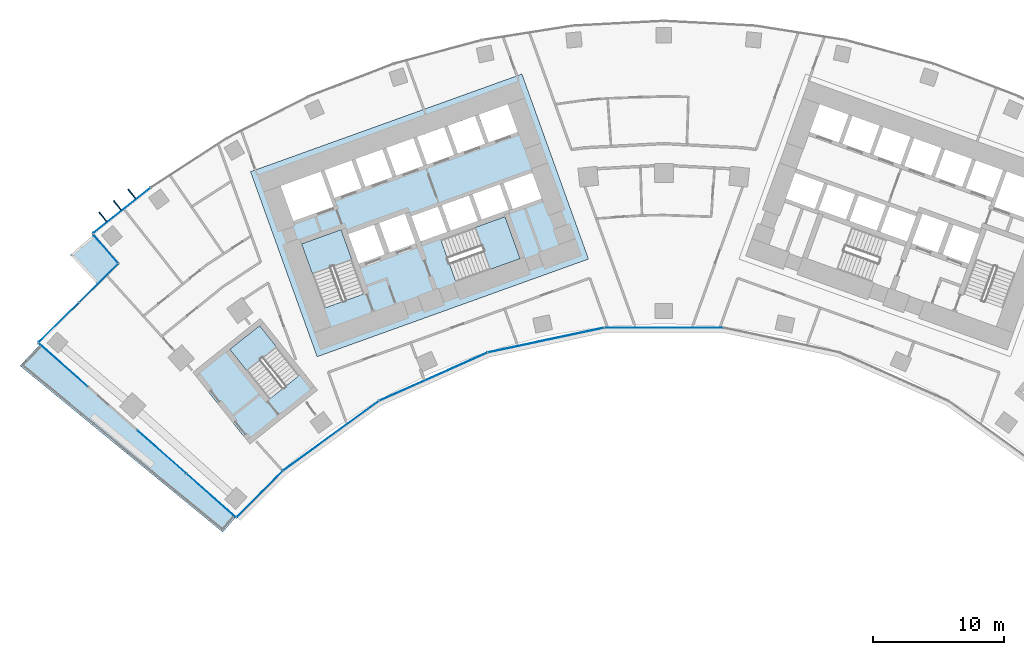
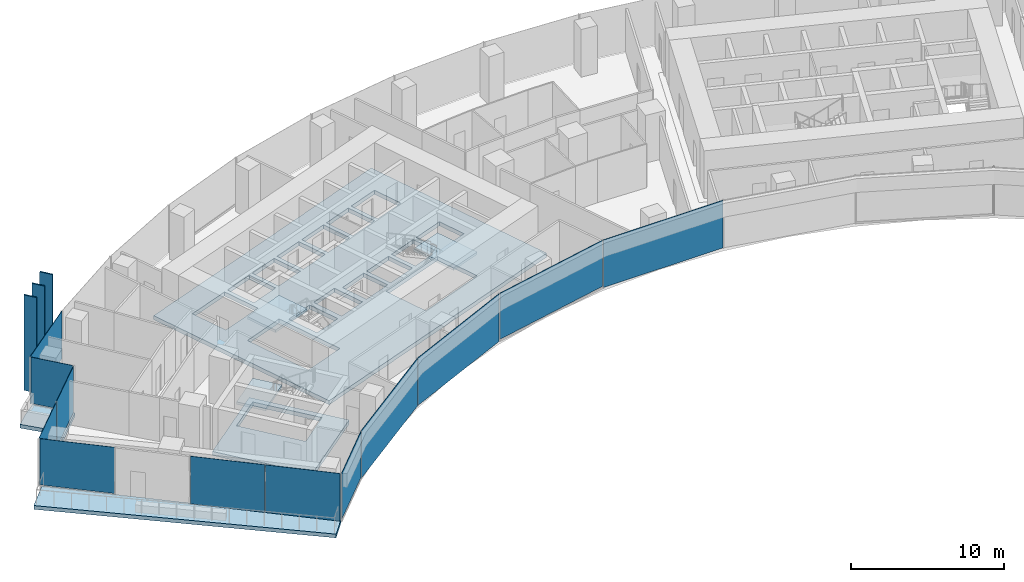
# One storey, part 11 of 21: 15 plates, 7 slabs, 8 elements without a shape of their own.
"""IFC4 building model written with IfcOpenShell, lengths in metres."""

from ifc_helpers import new_model, si_unit, direction, frame, origin, origin_2d, place, context, subcontext, project, spatial, polyline, rectangle, outline, extrude, material, layer, layer_set, type_object, element, aggregate, save


model = new_model("IFC4")

# Units and contexts
model_context = context("Model", 3, precision=1e-05, world=origin(), true_north=direction((0.0, 1.0)))
body_context = subcontext(model_context, "Body", "Model", "MODEL_VIEW")
ifc_project = project(units=[si_unit("LENGTHUNIT", "METRE"), si_unit("AREAUNIT", "SQUARE_METRE"), si_unit("VOLUMEUNIT", "CUBIC_METRE"), si_unit("PLANEANGLEUNIT", "RADIAN"), si_unit("MASSUNIT", "GRAM", prefix="KILO")], contexts=[model_context])

# Site, building, storey
site_placement = place(None, origin())
site = spatial("IfcSite", under=ifc_project, at=site_placement, CompositionType="ELEMENT")
building_placement = place(site_placement, origin())
building = spatial("IfcBuilding", under=site, at=building_placement, Name="Stone Belt Terrace Tower", CompositionType="ELEMENT")
storey_placement = place(building_placement, frame((0.0, 0.0, 113.60009765625)))
storey = spatial("IfcBuildingStorey", under=building, at=storey_placement, Name="L27", CompositionType="ELEMENT", Elevation=113.60009765625)

# Curtain wall, plate
ifc_material_1 = material(Name="Aluminium 6063-T6 anodised frame", Category="aluminium")
ifc_layer_1 = layer(ifc_material_1, 0.14990234375)
ifc_layer_set_1 = layer_set([ifc_layer_1], Name="CW-A unitised convex-face curtain wall")
curtain_wall_type_1 = type_object("IfcCurtainWallType", Name="CW-A unitised convex-face curtain wall", PredefinedType="NOTDEFINED", material=ifc_layer_set_1)
curtain_wall_1_placement = place(storey_placement, origin())
curtain_wall_1 = element("IfcCurtainWall", 1, at=curtain_wall_1_placement, inside=storey, type_object=curtain_wall_type_1, Name="CW-A convex face L27", PredefinedType="NOTDEFINED")
ifc_material_2 = material(Name="Clear double glazed unit")
ifc_layer_2 = layer(ifc_material_2, 0.031982421875)
ifc_layer_set_2 = layer_set([ifc_layer_2], Name="CW-A glass panel 32")
plate_type_1 = type_object("IfcPlateType", Name="CW-A glass panel 32", PredefinedType="CURTAIN_PANEL", material=ifc_layer_set_2)
plate_1_placement = place(storey_placement, frame((-41.32568359375, 52.121826171875, 0.0), z_axis=(0.0, 0.0, 1.0), x_axis=(-0.783743132176, -0.621085101067, 0.0)))
plate_1 = element("IfcPlate", 2, at=plate_1_placement, type_object=plate_type_1, Name="CW-A panel 16.1", PredefinedType="CURTAIN_PANEL", context=body_context, shape_type="SweptSolid", body=[
    extrude(rectangle(XDim=5.5322265625, YDim=0.031982421875, at=origin_2d()), origin(), (0.0, 0.0, 1.0), 3.800048828125),
])
aggregate(curtain_wall_1, [plate_1])

# Curtain wall, plates
ifc_layer_3 = layer(ifc_material_1, 0.14990234375)
ifc_layer_set_3 = layer_set([ifc_layer_3], Name="CW-B unitised concave-face curtain wall")
curtain_wall_type_2 = type_object("IfcCurtainWallType", Name="CW-B unitised concave-face curtain wall", PredefinedType="NOTDEFINED", material=ifc_layer_set_3)
curtain_wall_2_placement = place(storey_placement, origin())
curtain_wall_2 = element("IfcCurtainWall", 3, at=curtain_wall_2_placement, inside=storey, type_object=curtain_wall_type_2, Name="CW-B concave face L27", PredefinedType="NOTDEFINED")
ifc_layer_4 = layer(ifc_material_2, 0.030029296875)
ifc_layer_set_4 = layer_set([ifc_layer_4], Name="CW-B glass panel 30")
plate_type_2 = type_object("IfcPlateType", Name="CW-B glass panel 30", PredefinedType="CURTAIN_PANEL", material=ifc_layer_set_4)
plate_2_placement = place(storey_placement, frame((-30.81494140625, 30.49609375, 0.1201171875), z_axis=(0.0, 0.0, 1.0), x_axis=(0.703734842547, 0.710462716393, 0.0)))
plate_2 = element("IfcPlate", 4, at=plate_2_placement, type_object=plate_type_2, Name="CW-B panel 1.1", PredefinedType="CURTAIN_PANEL", context=body_context, shape_type="SweptSolid", body=[
    extrude(rectangle(XDim=4.9306640625, YDim=0.030029296875, at=origin_2d()), origin(), (0.0, 0.0, 1.0), 3.679931640625),
])
plate_3_placement = place(storey_placement, frame((-25.385986328125, 34.937744140625, 0.0), z_axis=(0.0, 0.0, 1.0), x_axis=(0.809016994375, 0.587785252292, 0.0)))
plate_3 = element("IfcPlate", 5, at=plate_3_placement, type_object=plate_type_2, Name="CW-B panel 2.1", PredefinedType="CURTAIN_PANEL", context=body_context, shape_type="SweptSolid", body=[
    extrude(rectangle(XDim=9.016357421875, YDim=0.030029296875, at=origin_2d()), origin(), (0.0, 0.0, 1.0), 3.800048828125),
])
plate_4_placement = place(storey_placement, frame((-17.565673828125, 39.453125, 0.0), z_axis=(0.0, 0.0, 1.0), x_axis=(0.913545457643, 0.406736643076, 0.0)))
plate_4 = element("IfcPlate", 6, at=plate_4_placement, type_object=plate_type_2, Name="CW-B panel 3.1", PredefinedType="CURTAIN_PANEL", context=body_context, shape_type="SweptSolid", body=[
    extrude(rectangle(XDim=9.0126953125, YDim=0.030029296875, at=origin_2d()), origin(), (0.0, 0.0, 1.0), 3.800048828125),
])
plate_5_placement = place(storey_placement, frame((-8.97900390625, 42.242919921875, 0.1201171875), z_axis=(0.0, 0.0, 1.0), x_axis=(0.978147600734, 0.207911690818, 0.0)))
plate_5 = element("IfcPlate", 7, at=plate_5_placement, type_object=plate_type_2, Name="CW-B panel 4.1", PredefinedType="CURTAIN_PANEL", context=body_context, shape_type="SweptSolid", body=[
    extrude(rectangle(XDim=9.0126953125, YDim=0.030029296875, at=origin_2d()), origin(), (0.0, 0.0, 1.0), 3.679931640625),
])
plate_6_placement = place(storey_placement, frame((0.0, 43.186767578125, 0.0), z_axis=(0.0, 0.0, 1.0), x_axis=(1.0, 0.0, 0.0)))
plate_6 = element("IfcPlate", 8, at=plate_6_placement, type_object=plate_type_2, Name="CW-B panel 5.1", PredefinedType="CURTAIN_PANEL", context=body_context, shape_type="SweptSolid", body=[
    extrude(rectangle(XDim=9.0126953125, YDim=0.030029296875, at=origin_2d()), origin(), (0.0, 0.0, 1.0), 3.800048828125),
])
aggregate(curtain_wall_2, [plate_2, plate_3, plate_4, plate_5, plate_6])

# Curtain wall, plate
ifc_layer_5 = layer(ifc_material_1, 0.14990234375)
ifc_layer_set_5 = layer_set([ifc_layer_5], Name="CW-C stick curtain wall, horn ends and notches")
curtain_wall_type_3 = type_object("IfcCurtainWallType", Name="CW-C stick curtain wall, horn ends and notches", PredefinedType="NOTDEFINED", material=ifc_layer_set_5)
curtain_wall_3_placement = place(storey_placement, origin())
curtain_wall_3 = element("IfcCurtainWall", 9, at=curtain_wall_3_placement, inside=storey, type_object=curtain_wall_type_3, Name="CW-C notch face L27", PredefinedType="NOTDEFINED")
ifc_layer_6 = layer(ifc_material_2, 0.028076171875)
ifc_layer_set_6 = layer_set([ifc_layer_6], Name="CW-C glass panel 28")
plate_type_3 = type_object("IfcPlateType", Name="CW-C glass panel 28", PredefinedType="CURTAIN_PANEL", material=ifc_layer_set_6)
plate_7_placement = place(storey_placement, frame((-42.569091796875, 49.218017578125, 0.1201171875), z_axis=(0.0, 0.0, 1.0), x_axis=(0.653299511695, -0.757099562818, 0.0)))
plate_7 = element("IfcPlate", 10, at=plate_7_placement, type_object=plate_type_3, Name="CW-C panel 1.1", PredefinedType="CURTAIN_PANEL", context=body_context, shape_type="SweptSolid", body=[
    extrude(rectangle(XDim=2.860107421875, YDim=0.028076171875, at=origin_2d()), origin(), (0.0, 0.0, 1.0), 3.679931640625),
])
aggregate(curtain_wall_3, [plate_7])

# Curtain wall, plates
curtain_wall_4_placement = place(storey_placement, origin())
curtain_wall_4 = element("IfcCurtainWall", 11, at=curtain_wall_4_placement, inside=storey, type_object=curtain_wall_type_3, Name="CW-C notch face L27", PredefinedType="NOTDEFINED")
plate_8_placement = place(storey_placement, frame((-43.104248046875, 46.580078125, 0.1201171875), z_axis=(0.0, 0.0, 1.0), x_axis=(-0.711192294213, -0.702997525353, 0.0)))
plate_8 = element("IfcPlate", 12, at=plate_8_placement, type_object=plate_type_3, Name="CW-C panel 1.1", PredefinedType="CURTAIN_PANEL", context=body_context, shape_type="SweptSolid", body=[
    extrude(rectangle(XDim=4.12060546875, YDim=0.028076171875, at=origin_2d()), origin(), (0.0, 0.0, 1.0), 3.679931640625),
])
plate_9_placement = place(storey_placement, frame((-46.130126953125, 43.589111328125, 0.0), z_axis=(0.0, 0.0, 1.0), x_axis=(-0.711192294213, -0.702997525353, 0.0)))
plate_9 = element("IfcPlate", 13, at=plate_9_placement, type_object=plate_type_3, Name="CW-C panel 2.1", PredefinedType="CURTAIN_PANEL", context=body_context, shape_type="SweptSolid", body=[
    extrude(rectangle(XDim=4.268798828125, YDim=0.028076171875, at=origin_2d()), origin(), (0.0, 0.0, 1.0), 3.800048828125),
])
aggregate(curtain_wall_4, [plate_8, plate_9])

curtain_wall_5_placement = place(storey_placement, origin())
curtain_wall_5 = element("IfcCurtainWall", 14, at=curtain_wall_5_placement, inside=storey, type_object=curtain_wall_type_3, Name="CW-C end face L27", PredefinedType="NOTDEFINED")
plate_10_placement = place(storey_placement, frame((-45.781005859375, 40.339111328125, 0.1201171875), z_axis=(0.0, 0.0, 1.0), x_axis=(0.749477659318, -0.662029635427, 0.0)))
plate_10 = element("IfcPlate", 15, at=plate_10_placement, type_object=plate_type_3, Name="CW-C panel 1.1", PredefinedType="CURTAIN_PANEL", context=body_context, shape_type="SweptSolid", body=[
    extrude(rectangle(XDim=4.974853515625, YDim=0.028076171875, at=origin_2d()), origin(), (0.0, 0.0, 1.0), 3.679931640625),
])
plate_11_placement = place(storey_placement, frame((-38.27294921875, 33.707275390625, 0.0), z_axis=(0.0, 0.0, 1.0), x_axis=(0.749477659318, -0.662029635427, 0.0)))
plate_11 = element("IfcPlate", 16, at=plate_11_placement, type_object=plate_type_3, Name="CW-C panel 3.1", PredefinedType="CURTAIN_PANEL", context=body_context, shape_type="SweptSolid", body=[
    extrude(rectangle(XDim=4.93994140625, YDim=0.028076171875, at=origin_2d()), origin(), (0.0, 0.0, 1.0), 3.800048828125),
])
plate_12_placement = place(storey_placement, frame((-34.515380859375, 30.387939453125, 0.0), z_axis=(0.0, 0.0, 1.0), x_axis=(0.749477659318, -0.662029635427, 0.0)))
plate_12 = element("IfcPlate", 17, at=plate_12_placement, type_object=plate_type_3, Name="CW-C panel 4.1", PredefinedType="CURTAIN_PANEL", context=body_context, shape_type="SweptSolid", body=[
    extrude(rectangle(XDim=4.967529296875, YDim=0.028076171875, at=origin_2d()), origin(), (0.0, 0.0, 1.0), 3.800048828125),
])
aggregate(curtain_wall_5, [plate_10, plate_11, plate_12])

# Slabs
ifc_material_3 = material(Name="Concrete B40", Category="concrete")
ifc_layer_7 = layer(ifc_material_3, 0.320068359375)
ifc_layer_set_7 = layer_set([ifc_layer_7], Name="Core floor slab 320")
slab_type_1 = type_object("IfcSlabType", Name="Core floor slab 320", PredefinedType="FLOOR", material=ifc_layer_set_7)
slab_1_placement = place(storey_placement, frame((0.0, 0.0, -0.320068359375)))
element("IfcSlab", 18, at=slab_1_placement, inside=storey, type_object=slab_type_1, Name="Core A floor L27", PredefinedType="FLOOR", context=body_context, shape_type="SweptSolid", body=[
    extrude(outline(polyline([(-26.43505859375, 40.968994140625), (-5.735107421875, 48.4189453125), (-10.81396484375, 62.531982421875), (-31.513916015625, 55.0830078125), (-26.43505859375, 40.968994140625)]), holes=[polyline([(-24.60791015625, 50.659912109375), (-22.847900390625, 45.76806640625), (-25.85888671875, 44.68408203125), (-27.618896484375, 49.575927734375), (-24.60791015625, 50.659912109375)]), polyline([(-21.27392578125, 48.778076171875), (-23.25, 48.06689453125), (-24.06298828125, 50.324951171875), (-22.0869140625, 51.035888671875), (-21.27392578125, 48.778076171875)]), polyline([(-18.922119140625, 49.6240234375), (-20.89794921875, 48.9130859375), (-21.7109375, 51.1708984375), (-19.735107421875, 51.883056640625), (-18.922119140625, 49.6240234375)]), polyline([(-19.239990234375, 51.68896484375), (-17.217041015625, 52.4169921875), (-16.52294921875, 50.488037109375), (-18.5458984375, 49.760009765625), (-19.239990234375, 51.68896484375)]), polyline([(-29.2109375, 53.9990234375), (-26.153076171875, 55.09912109375), (-25.18798828125, 52.41796875), (-28.24609375, 51.31689453125), (-29.2109375, 53.9990234375)]), polyline([(-23.801025390625, 55.946044921875), (-23.0390625, 53.8291015625), (-25.10888671875, 53.083984375), (-25.87109375, 55.200927734375), (-23.801025390625, 55.946044921875)]), polyline([(-21.447998046875, 56.7919921875), (-20.68603515625, 54.675048828125), (-22.756103515625, 53.929931640625), (-23.51806640625, 56.047119140625), (-21.447998046875, 56.7919921875)]), polyline([(-19.095947265625, 57.638916015625), (-18.333984375, 55.52197265625), (-20.404052734375, 54.777099609375), (-21.166015625, 56.89404296875), (-19.095947265625, 57.638916015625)]), polyline([(-15.846923828125, 46.69189453125), (-16.998046875, 49.89208984375), (-12.10595703125, 51.652099609375), (-10.955078125, 48.452880859375), (-15.846923828125, 46.69189453125)]), polyline([(-16.239990234375, 50.589111328125), (-16.93408203125, 52.51806640625), (-14.864013671875, 53.262939453125), (-14.169921875, 51.333984375), (-16.239990234375, 50.589111328125)]), polyline([(-11.801025390625, 52.134033203125), (-11.847900390625, 52.116943359375), (-11.864990234375, 52.1640625), (-13.887939453125, 51.43603515625), (-14.58203125, 53.364990234375), (-12.511962890625, 54.110107421875), (-11.801025390625, 52.134033203125)]), polyline([(-9.30810546875, 53.031005859375), (-11.51904296875, 52.235107421875), (-12.22998046875, 54.2109375), (-10.01904296875, 55.007080078125), (-9.30810546875, 53.031005859375)]), polyline([(-16.743896484375, 58.485107421875), (-15.98193359375, 56.367919921875), (-18.052001953125, 55.623046875), (-18.81396484375, 57.739990234375), (-16.743896484375, 58.485107421875)]), polyline([(-14.39111328125, 59.33203125), (-13.6298828125, 57.215087890625), (-15.699951171875, 56.469970703125), (-16.4609375, 58.5869140625), (-14.39111328125, 59.33203125)]), polyline([(-11.89794921875, 60.22900390625), (-11.135986328125, 58.112060546875), (-13.346923828125, 57.31591796875), (-14.10888671875, 59.43408203125), (-11.89794921875, 60.22900390625)])]), origin(), (0.0, 0.0, 1.0), 0.320068359375),
])
slab_2_placement = place(storey_placement, frame((0.0, 0.0, -0.320068359375)))
element("IfcSlab", 19, at=slab_2_placement, inside=storey, type_object=slab_type_1, Name="Exit stair ST3A floor L27", PredefinedType="FLOOR", context=body_context, shape_type="SweptSolid", body=[
    extrude(outline(polyline([(-26.39404296875, 38.425048828125), (-30.756103515625, 43.89990234375), (-35.91796875, 39.787109375), (-31.555908203125, 34.31298828125), (-26.39404296875, 38.425048828125)]), holes=[polyline([(-27.798095703125, 39.544921875), (-30.06591796875, 37.738037109375), (-33.087890625, 41.531005859375), (-30.820068359375, 43.337890625), (-27.798095703125, 39.544921875)])]), origin(), (0.0, 0.0, 1.0), 0.320068359375),
])

# Stair, slab
stair_type = type_object("IfcStairType", Name="Exit stair 1500", PredefinedType="HALF_TURN_STAIR", material=ifc_material_3)
stair_1_placement = place(storey_placement, origin())
stair_1 = element("IfcStair", 20, at=stair_1_placement, inside=storey, type_object=stair_type, Name="L27 Exit stair 1 core A", PredefinedType="HALF_TURN_STAIR")
ifc_layer_8 = layer(ifc_material_3, 0.199951171875)
ifc_layer_set_8 = layer_set([ifc_layer_8], Name="Stair landing 200")
slab_type_2 = type_object("IfcSlabType", Name="Stair landing 200", PredefinedType="LANDING", material=ifc_layer_set_8)
slab_3_placement = place(storey_placement, frame((0.0, 0.0, 1.699951171875)))
slab_3 = element("IfcSlab", 21, at=slab_3_placement, type_object=slab_type_2, Name="ST1A landing 1", PredefinedType="LANDING", context=body_context, shape_type="SweptSolid", body=[
    extrude(outline(polyline([(-23.79541015625, 48.40087890625), (-24.6083984375, 50.659912109375), (-27.619384765625, 49.576171875), (-26.806396484375, 47.3173828125), (-23.79541015625, 48.40087890625)])), origin(), (0.0, 0.0, 1.0), 0.199951171875),
])
aggregate(stair_1, [slab_3])

stair_2_placement = place(storey_placement, origin())
stair_2 = element("IfcStair", 22, at=stair_2_placement, inside=storey, type_object=stair_type, Name="L27 Exit stair 2 core A", PredefinedType="HALF_TURN_STAIR")
slab_4_placement = place(storey_placement, frame((0.0, 0.0, 1.699951171875)))
slab_4 = element("IfcSlab", 23, at=slab_4_placement, type_object=slab_type_2, Name="ST2A landing 1", PredefinedType="LANDING", context=body_context, shape_type="SweptSolid", body=[
    extrude(outline(polyline([(-13.213623046875, 47.64013671875), (-10.95458984375, 48.453125), (-12.10595703125, 51.652099609375), (-14.36474609375, 50.839111328125), (-13.213623046875, 47.64013671875)])), origin(), (0.0, 0.0, 1.0), 0.199951171875),
])
aggregate(stair_2, [slab_4])

stair_3_placement = place(storey_placement, origin())
stair_3 = element("IfcStair", 24, at=stair_3_placement, inside=storey, type_object=stair_type, Name="L27 Exit stair 3A", PredefinedType="HALF_TURN_STAIR")
slab_5_placement = place(storey_placement, frame((0.0, 0.0, 1.699951171875)))
slab_5 = element("IfcSlab", 25, at=slab_5_placement, type_object=slab_type_2, Name="ST3A landing 1", PredefinedType="LANDING", context=body_context, shape_type="SweptSolid", body=[
    extrude(outline(polyline([(-29.541748046875, 41.73388671875), (-30.819580078125, 43.337890625), (-33.087646484375, 41.53076171875), (-31.809814453125, 39.9267578125), (-29.541748046875, 41.73388671875)])), origin(), (0.0, 0.0, 1.0), 0.199951171875),
])
aggregate(stair_3, [slab_5])

# Slabs
ifc_layer_9 = layer(ifc_material_3, 0.300048828125)
ifc_layer_set_9 = layer_set([ifc_layer_9], Name="Terrace slab 300 B40")
slab_type_3 = type_object("IfcSlabType", Name="Terrace slab 300 B40", PredefinedType="FLOOR", material=ifc_layer_set_9)
slab_6_placement = place(storey_placement, frame((0.0, 0.0, -0.300048828125)))
element("IfcSlab", 26, at=slab_6_placement, inside=storey, type_object=slab_type_3, Name="Terrace slab L27-stack_terrace-1", PredefinedType="FLOOR", context=body_context, shape_type="SweptSolid", body=[
    extrude(outline(polyline([(-49.088623046875, 40.281005859375), (-33.627685546875, 27.593994140625), (-32.463623046875, 28.947998046875), (-32.466552734375, 28.950439453125), (-32.602294921875, 28.79833984375), (-47.506103515625, 41.963134765625), (-49.088623046875, 40.281005859375)])), origin(), (0.0, 0.0, 1.0), 0.300048828125),
])
slab_7_placement = place(storey_placement, frame((0.0, 0.0, -0.300048828125)))
element("IfcSlab", 27, at=slab_7_placement, inside=storey, type_object=slab_type_3, Name="Terrace slab L27-notch_roof-2", PredefinedType="FLOOR", context=body_context, shape_type="SweptSolid", body=[
    extrude(outline(polyline([(-45.24609375, 48.734375), (-43.204833984375, 46.535888671875), (-45.2890625, 44.3203125), (-45.286376953125, 44.31787109375), (-41.484619140625, 48.07568359375), (-43.406005859375, 50.302734375), (-44.497314453125, 49.419189453125), (-45.24609375, 48.734375)])), origin(), (0.0, 0.0, 1.0), 0.300048828125),
])

# Plates
ifc_material_4 = material(Name="Terracotta coloured glazed ceramic", Category="masonry")
ifc_layer_10 = layer(ifc_material_4, 0.10009765625)
ifc_layer_set_10 = layer_set([ifc_layer_10], Name="Terracotta fin 100 x 900")
plate_type_4 = type_object("IfcPlateType", Name="Terracotta fin 100 x 900", PredefinedType="SHEET", material=ifc_layer_set_10)
for number, where, z_axis, x_axis, name in (
    (28, (-40.562744140625, 53.396240234375, -0.000244140625), (0.0, 0.0, 1.0), (-0.621085101067, 0.783743132176, 0.0), "FIN L27 16.2"),
    (29, (-41.66796875, 52.5205078125, -0.000244140625), (0.0, 0.0, 1.0), (-0.621085101067, 0.783743132176, 0.0), "FIN L27 16.3"),
    (30, (-42.773193359375, 51.64453125, -0.000244140625), (0.0, 0.0, 1.0), (-0.621085101067, 0.783743132176, 0.0), "FIN L27 16.4"),
):
    element("IfcPlate", number, at=place(storey_placement, frame(where, z_axis=z_axis, x_axis=x_axis)), inside=storey, type_object=plate_type_4, Name=name, PredefinedType="SHEET", context=body_context, shape_type="SweptSolid", body=[
        extrude(rectangle(XDim=0.89990234375, YDim=0.10009765625, at=origin_2d()), origin(), (0.0, 0.0, 1.0), 7.60009765625),
    ])

save(model, "model.ifc")
